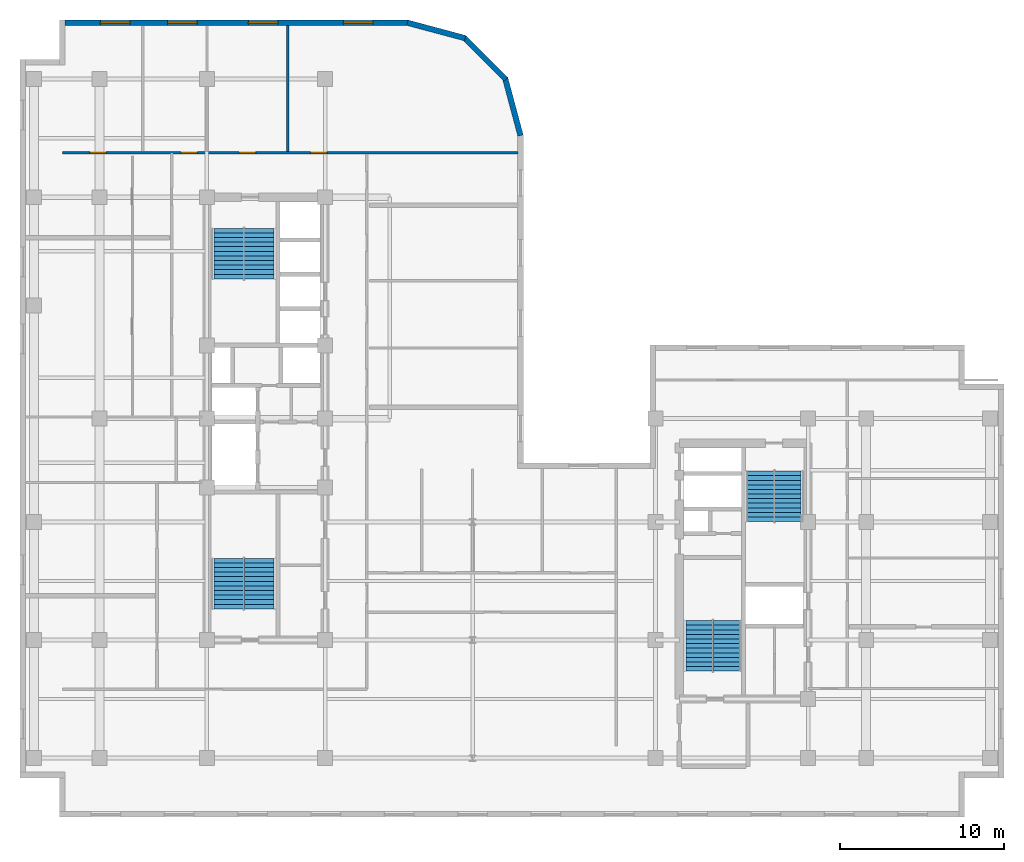
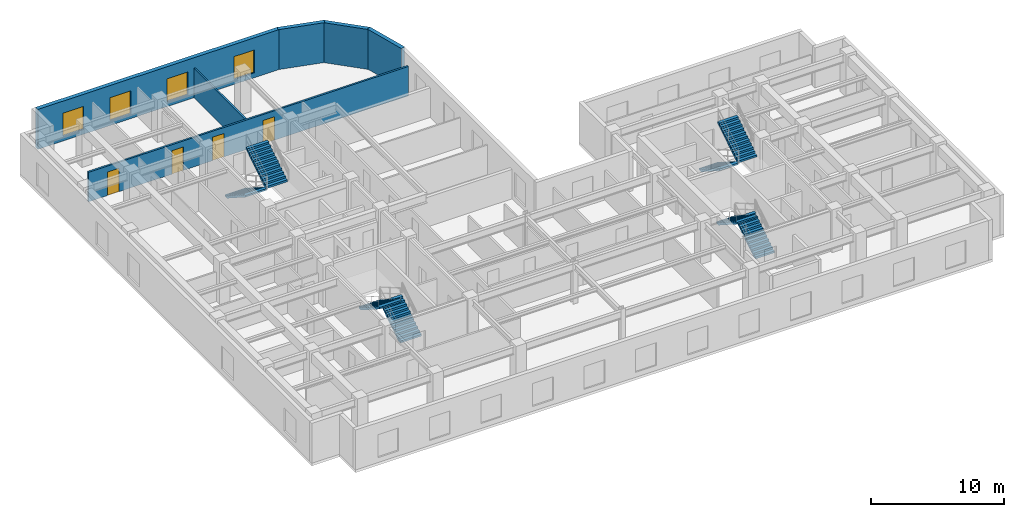
# One storey, part 8 of 11: 8 stair flights, 6 walls, 4 doors, 4 windows, 8 openings, 4 elements without a shape of their own.
"""IFC4 building model written with IfcOpenShell, lengths in metres."""

from ifc_helpers import new_model, entity, si_unit, converted_unit, direction, frame, origin_with_axes, origin_2d_with_axis, place, context, subcontext, project, spatial, polyline, rectangle, outline, extrude, material, layer, layer_set, type_object, element, fill, aggregate, save


model = new_model("IFC4")

# Units and contexts
model_context = context("Model", 3, precision=1e-05, world=origin_with_axes(), true_north=direction((0.0, 1.0)))
body_context = subcontext(model_context, "Body", "Model", "MODEL_VIEW")
ifc_project = project(units=[si_unit("LENGTHUNIT", "METRE"), si_unit("AREAUNIT", "SQUARE_METRE"), si_unit("VOLUMEUNIT", "CUBIC_METRE"), converted_unit("PLANEANGLEUNIT", "DEGREE", entity("IfcPlaneAngleMeasure", 0.017453292519943295), si_unit("PLANEANGLEUNIT", "RADIAN"), dimensions=[0, 0, 0, 0, 0, 0, 0]), si_unit("MASSUNIT", "GRAM", prefix="KILO"), si_unit("THERMODYNAMICTEMPERATUREUNIT", "KELVIN")], contexts=[model_context])

# Site, building, storey
site_placement = place(None, origin_with_axes())
site = spatial("IfcSite", under=ifc_project, at=site_placement, CompositionType="ELEMENT")
building_placement = place(site_placement, origin_with_axes())
building = spatial("IfcBuilding", under=site, at=building_placement, Name="Varnlund Millrace Tower", CompositionType="ELEMENT")
storey_placement = place(building_placement, frame((0.0, 0.0, 208.2), z_axis=(0.0, 0.0, 1.0), x_axis=(1.0, 0.0, 0.0)))
storey = spatial("IfcBuildingStorey", under=building, at=storey_placement, Name="L51", CompositionType="ELEMENT", Elevation=208.2)

# Wall, openings, windows
ifc_material_1 = material(Name="Precast concrete C50/60", Category="concrete")
ifc_layer_1 = layer(ifc_material_1, 0.34, Name="Precast concrete C50/60")
ifc_layer_set_1 = layer_set([ifc_layer_1], Name="Precast concrete C50/60")
wall_type_1 = type_object("IfcWallType", Name="Type-ExtWall-Precast-Upper-340", PredefinedType="SOLIDWALL", material=ifc_layer_set_1)
wall_1_placement = place(storey_placement, frame((2.74, 48.43, 0.0), z_axis=(0.0, 0.0, 1.0), x_axis=(1.0, 0.0, 0.0)))
wall_1 = element("IfcWall", 1, at=wall_1_placement, inside=storey, type_object=wall_type_1, Name="Type-ExtWall-Precast-Upper-340", PredefinedType="SOLIDWALL", context=body_context, shape_type="SweptSolid", body=[
    extrude(outline(polyline([(0.0, -0.17), (20.946, -0.17), (20.946, 0.17), (0.0, 0.17), (0.0, -0.17)])), origin_with_axes(), (0.0, 0.0, 1.0), 3.66),
])
opening_1_placement = place(wall_1_placement, frame((3.068, 0.0, 0.45), z_axis=(0.0, 0.0, 1.0), x_axis=(1.0, 0.0, 0.0)))
opening_1 = element("IfcOpeningElement", 2, at=opening_1_placement, cuts=wall_1, Name="Opening L51:WN-25", PredefinedType="OPENING", context=body_context, shape_type="SweptSolid", body=[
    extrude(rectangle(XDim=1.8, YDim=0.36, at=origin_2d_with_axis()), origin_with_axes(), (0.0, 0.0, 1.0), 2.1),
])
opening_2_placement = place(wall_1_placement, frame((7.155, 0.0, 0.45), z_axis=(0.0, 0.0, 1.0), x_axis=(1.0, 0.0, 0.0)))
opening_2 = element("IfcOpeningElement", 3, at=opening_2_placement, cuts=wall_1, Name="Opening L51:WN-26", PredefinedType="OPENING", context=body_context, shape_type="SweptSolid", body=[
    extrude(rectangle(XDim=1.8, YDim=0.36, at=origin_2d_with_axis()), origin_with_axes(), (0.0, 0.0, 1.0), 2.1),
])
opening_3_placement = place(wall_1_placement, frame((12.091, 0.0, 0.45), z_axis=(0.0, 0.0, 1.0), x_axis=(1.0, 0.0, 0.0)))
opening_3 = element("IfcOpeningElement", 4, at=opening_3_placement, cuts=wall_1, Name="Opening L51:WN-27", PredefinedType="OPENING", context=body_context, shape_type="SweptSolid", body=[
    extrude(rectangle(XDim=1.8, YDim=0.36, at=origin_2d_with_axis()), origin_with_axes(), (0.0, 0.0, 1.0), 2.1),
])
opening_4_placement = place(wall_1_placement, frame((17.878, 0.0, 0.45), z_axis=(0.0, 0.0, 1.0), x_axis=(1.0, 0.0, 0.0)))
opening_4 = element("IfcOpeningElement", 5, at=opening_4_placement, cuts=wall_1, Name="Opening L51:WN-28", PredefinedType="OPENING", context=body_context, shape_type="SweptSolid", body=[
    extrude(rectangle(XDim=1.8, YDim=0.36, at=origin_2d_with_axis()), origin_with_axes(), (0.0, 0.0, 1.0), 2.1),
])
ifc_material_2 = material(Name="Argon low-e triple glazing in thermally broken bronze frame", Category="glass")
window_type = type_object("IfcWindowType", Name="Type-Window-Punched-1800X2100", PartitioningType="SINGLE_PANEL", PredefinedType="WINDOW", material=ifc_material_2)
window_1_placement = place(wall_1_placement, frame((3.068, 0.0, 0.45), z_axis=(0.0, 0.0, 1.0), x_axis=(1.0, 0.0, 0.0)))
window_1 = element("IfcWindow", 6, at=window_1_placement, inside=storey, type_object=window_type, Name="Type-Window-Punched-1800X2100", OverallHeight=2.1, OverallWidth=1.8, PredefinedType="WINDOW", context=body_context, shape_type="SweptSolid", body=[
    extrude(rectangle(XDim=1.8, YDim=0.09, at=origin_2d_with_axis()), origin_with_axes(), (0.0, 0.0, 1.0), 2.1),
])
fill(opening_1, window_1)
window_2_placement = place(wall_1_placement, frame((7.155, 0.0, 0.45), z_axis=(0.0, 0.0, 1.0), x_axis=(1.0, 0.0, 0.0)))
window_2 = element("IfcWindow", 7, at=window_2_placement, inside=storey, type_object=window_type, Name="Type-Window-Punched-1800X2100", OverallHeight=2.1, OverallWidth=1.8, PredefinedType="WINDOW", context=body_context, shape_type="SweptSolid", body=[
    extrude(rectangle(XDim=1.8, YDim=0.09, at=origin_2d_with_axis()), origin_with_axes(), (0.0, 0.0, 1.0), 2.1),
])
fill(opening_2, window_2)
window_3_placement = place(wall_1_placement, frame((12.091, 0.0, 0.45), z_axis=(0.0, 0.0, 1.0), x_axis=(1.0, 0.0, 0.0)))
window_3 = element("IfcWindow", 8, at=window_3_placement, inside=storey, type_object=window_type, Name="Type-Window-Punched-1800X2100", OverallHeight=2.1, OverallWidth=1.8, PredefinedType="WINDOW", context=body_context, shape_type="SweptSolid", body=[
    extrude(rectangle(XDim=1.8, YDim=0.09, at=origin_2d_with_axis()), origin_with_axes(), (0.0, 0.0, 1.0), 2.1),
])
fill(opening_3, window_3)
window_4_placement = place(wall_1_placement, frame((17.878, 0.0, 0.45), z_axis=(0.0, 0.0, 1.0), x_axis=(1.0, 0.0, 0.0)))
window_4 = element("IfcWindow", 9, at=window_4_placement, inside=storey, type_object=window_type, Name="Type-Window-Punched-1800X2100", OverallHeight=2.1, OverallWidth=1.8, PredefinedType="WINDOW", context=body_context, shape_type="SweptSolid", body=[
    extrude(rectangle(XDim=1.8, YDim=0.09, at=origin_2d_with_axis()), origin_with_axes(), (0.0, 0.0, 1.0), 2.1),
])
fill(opening_4, window_4)

# Walls
wall_2_placement = place(storey_placement, frame((23.623, 48.441, 0.0), z_axis=(0.0, 0.0, 1.0), x_axis=(0.96592, -0.258841, 0.0)))
element("IfcWall", 10, at=wall_2_placement, inside=storey, type_object=wall_type_1, Name="Type-ExtWall-Precast-Upper-340", PredefinedType="SOLIDWALL", context=body_context, shape_type="SweptSolid", body=[
    extrude(outline(polyline([(0.0, -0.17), (3.643159, -0.17), (3.643159, 0.17), (0.0, 0.17), (0.0, -0.17)])), origin_with_axes(), (0.0, 0.0, 1.0), 3.66),
])
wall_3_placement = place(storey_placement, frame((27.052, 47.556, 0.0), z_axis=(0.0, 0.0, 1.0), x_axis=(0.707107, -0.707107, 0.0)))
element("IfcWall", 11, at=wall_3_placement, inside=storey, type_object=wall_type_1, Name="Type-ExtWall-Precast-Upper-340", PredefinedType="SOLIDWALL", context=body_context, shape_type="SweptSolid", body=[
    extrude(outline(polyline([(0.0, -0.17), (3.643014, -0.17), (3.643014, 0.17), (0.0, 0.17), (0.0, -0.17)])), origin_with_axes(), (0.0, 0.0, 1.0), 3.66),
])
wall_4_placement = place(storey_placement, frame((29.579, 45.075, 0.0), z_axis=(0.0, 0.0, 1.0), x_axis=(0.258841, -0.96592, 0.0)))
element("IfcWall", 12, at=wall_4_placement, inside=storey, type_object=wall_type_1, Name="Type-ExtWall-Precast-Upper-340", PredefinedType="SOLIDWALL", context=body_context, shape_type="SweptSolid", body=[
    extrude(outline(polyline([(0.0, -0.17), (3.643159, -0.17), (3.643159, 0.17), (0.0, 0.17), (0.0, -0.17)])), origin_with_axes(), (0.0, 0.0, 1.0), 3.66),
])

# Wall, openings, doors
ifc_material_3 = material(Name="Fire-rated gypsum board on cold-formed steel framing", Category="steel")
ifc_layer_2 = layer(ifc_material_3, 0.16, Name="Fire-rated gypsum board on cold-formed steel framing")
ifc_layer_set_2 = layer_set([ifc_layer_2], Name="Fire-rated gypsum board on cold-formed steel framing")
wall_type_2 = type_object("IfcWallType", Name="Type-Partition-Corridor-160", PredefinedType="PARTITIONING", material=ifc_layer_set_2)
wall_5_placement = place(storey_placement, frame((2.6, 40.5, 0.0), z_axis=(0.0, 0.0, 1.0), x_axis=(1.0, 0.0, 0.0)))
wall_5 = element("IfcWall", 13, at=wall_5_placement, inside=storey, type_object=wall_type_2, Name="Type-Partition-Corridor-160", PredefinedType="PARTITIONING", context=body_context, shape_type="SweptSolid", body=[
    extrude(outline(polyline([(0.0, -0.08), (27.751, -0.08), (27.751, 0.08), (0.0, 0.08), (0.0, -0.08)])), origin_with_axes(), (0.0, 0.0, 1.0), 2.7),
])
opening_5_placement = place(wall_5_placement, frame((2.158, 0.0, 0.0), z_axis=(0.0, 0.0, 1.0), x_axis=(1.0, 0.0, 0.0)))
opening_5 = element("IfcOpeningElement", 14, at=opening_5_placement, cuts=wall_5, Name="Opening L51:DR-WAN-01", PredefinedType="OPENING", context=body_context, shape_type="SweptSolid", body=[
    extrude(rectangle(XDim=1.0, YDim=0.18, at=origin_2d_with_axis()), origin_with_axes(), (0.0, 0.0, 1.0), 2.15),
])
opening_6_placement = place(wall_5_placement, frame((7.723, 0.0, 0.0), z_axis=(0.0, 0.0, 1.0), x_axis=(1.0, 0.0, 0.0)))
opening_6 = element("IfcOpeningElement", 15, at=opening_6_placement, cuts=wall_5, Name="Opening L51:DR-WAN-02", PredefinedType="OPENING", context=body_context, shape_type="SweptSolid", body=[
    extrude(rectangle(XDim=1.0, YDim=0.18, at=origin_2d_with_axis()), origin_with_axes(), (0.0, 0.0, 1.0), 2.15),
])
opening_7_placement = place(wall_5_placement, frame((11.266, 0.0, 0.0), z_axis=(0.0, 0.0, 1.0), x_axis=(1.0, 0.0, 0.0)))
opening_7 = element("IfcOpeningElement", 16, at=opening_7_placement, cuts=wall_5, Name="Opening L51:DR-WAN-03", PredefinedType="OPENING", context=body_context, shape_type="SweptSolid", body=[
    extrude(rectangle(XDim=1.0, YDim=0.18, at=origin_2d_with_axis()), origin_with_axes(), (0.0, 0.0, 1.0), 2.15),
])
opening_8_placement = place(wall_5_placement, frame((15.626, 0.0, 0.0), z_axis=(0.0, 0.0, 1.0), x_axis=(1.0, 0.0, 0.0)))
opening_8 = element("IfcOpeningElement", 17, at=opening_8_placement, cuts=wall_5, Name="Opening L51:DR-WAN-04", PredefinedType="OPENING", context=body_context, shape_type="SweptSolid", body=[
    extrude(rectangle(XDim=1.0, YDim=0.18, at=origin_2d_with_axis()), origin_with_axes(), (0.0, 0.0, 1.0), 2.15),
])
ifc_material_4 = material(Name="Solid-core white oak and bronze frame door")
door_type = type_object("IfcDoorType", Name="Type-IntDoor-Office-1000X2150", OperationType="NOTDEFINED", PredefinedType="DOOR", material=ifc_material_4)
door_1_placement = place(wall_5_placement, frame((2.158, 0.0, 0.0), z_axis=(0.0, 0.0, 1.0), x_axis=(1.0, 0.0, 0.0)))
door_1 = element("IfcDoor", 18, at=door_1_placement, inside=storey, type_object=door_type, Name="Type-IntDoor-Office-1000X2150", OperationType="SINGLE_SWING_LEFT", OverallHeight=2.15, OverallWidth=1.0, PredefinedType="DOOR", context=body_context, shape_type="SweptSolid", body=[
    extrude(rectangle(XDim=1.0, YDim=0.09, at=origin_2d_with_axis()), origin_with_axes(), (0.0, 0.0, 1.0), 2.15),
])
fill(opening_5, door_1)
door_2_placement = place(wall_5_placement, frame((7.723, 0.0, 0.0), z_axis=(0.0, 0.0, 1.0), x_axis=(1.0, 0.0, 0.0)))
door_2 = element("IfcDoor", 19, at=door_2_placement, inside=storey, type_object=door_type, Name="Type-IntDoor-Office-1000X2150", OperationType="SINGLE_SWING_RIGHT", OverallHeight=2.15, OverallWidth=1.0, PredefinedType="DOOR", context=body_context, shape_type="SweptSolid", body=[
    extrude(rectangle(XDim=1.0, YDim=0.09, at=origin_2d_with_axis()), origin_with_axes(), (0.0, 0.0, 1.0), 2.15),
])
fill(opening_6, door_2)
door_3_placement = place(wall_5_placement, frame((11.266, 0.0, 0.0), z_axis=(0.0, 0.0, 1.0), x_axis=(1.0, 0.0, 0.0)))
door_3 = element("IfcDoor", 20, at=door_3_placement, inside=storey, type_object=door_type, Name="Type-IntDoor-Office-1000X2150", OperationType="SINGLE_SWING_LEFT", OverallHeight=2.15, OverallWidth=1.0, PredefinedType="DOOR", context=body_context, shape_type="SweptSolid", body=[
    extrude(rectangle(XDim=1.0, YDim=0.09, at=origin_2d_with_axis()), origin_with_axes(), (0.0, 0.0, 1.0), 2.15),
])
fill(opening_7, door_3)
door_4_placement = place(wall_5_placement, frame((15.626, 0.0, 0.0), z_axis=(0.0, 0.0, 1.0), x_axis=(1.0, 0.0, 0.0)))
door_4 = element("IfcDoor", 21, at=door_4_placement, inside=storey, type_object=door_type, Name="Type-IntDoor-Office-1000X2150", OperationType="SINGLE_SWING_RIGHT", OverallHeight=2.15, OverallWidth=1.0, PredefinedType="DOOR", context=body_context, shape_type="SweptSolid", body=[
    extrude(rectangle(XDim=1.0, YDim=0.09, at=origin_2d_with_axis()), origin_with_axes(), (0.0, 0.0, 1.0), 2.15),
])
fill(opening_8, door_4)

# Wall
ifc_material_5 = material(Name="Acoustic STC-50 gypsum board partition", Category="gypsum")
ifc_layer_3 = layer(ifc_material_5, 0.15, Name="Acoustic STC-50 gypsum board partition")
ifc_layer_set_3 = layer_set([ifc_layer_3], Name="Acoustic STC-50 gypsum board partition")
wall_type_3 = type_object("IfcWallType", Name="Type-Partition-Demising-150", PredefinedType="PARTITIONING", material=ifc_layer_set_3)
wall_6_placement = place(storey_placement, frame((16.332, 40.6, 0.0), z_axis=(0.0, 0.0, 1.0), x_axis=(0.0, 1.0, 0.0)))
element("IfcWall", 22, at=wall_6_placement, inside=storey, type_object=wall_type_3, Name="Type-Partition-Demising-150", PredefinedType="PARTITIONING", context=body_context, shape_type="SweptSolid", body=[
    extrude(outline(polyline([(0.0, -0.075), (7.665, -0.075), (7.665, 0.075), (0.0, 0.075), (0.0, -0.075)])), origin_with_axes(), (0.0, 0.0, 1.0), 2.7),
])

# Stair, stair flights
ifc_material_6 = material(Name="Concrete C50/60", Category="concrete")
stair_type_1 = type_object("IfcStairType", Name="Type-Stair-Dogleg-165-390", PredefinedType="HALF_TURN_STAIR", material=ifc_material_6)
stair_1_placement = place(storey_placement, origin_with_axes())
stair_1 = element("IfcStair", 23, at=stair_1_placement, inside=storey, type_object=stair_type_1, Name="Type-Stair-Dogleg-165-390", PredefinedType="HALF_TURN_STAIR")
stair_flight_type_1 = type_object("IfcStairFlightType", Name="Type-Dogleg-Run-165-390", PredefinedType="STRAIGHT", material=ifc_material_1)
stair_flight_1_placement = place(storey_placement, frame((42.225, 8.9, 0.0), z_axis=(1.0, 0.0, 0.0), x_axis=(0.0, 1.0, 0.0)))
stair_flight_1 = element("IfcStairFlight", 24, at=stair_flight_1_placement, type_object=stair_flight_type_1, Name="ST-B1 flight 1", NumberOfRisers=11, NumberOfTreads=11, PredefinedType="STRAIGHT", RiserHeight=0.177273, TreadLength=0.28, context=body_context, shape_type="SweptSolid", body=[
    extrude(outline(polyline([(0.0, 0.0), (0.0, 0.177273), (0.28, 0.177273), (0.28, 0.354545), (0.56, 0.354545), (0.56, 0.531818), (0.84, 0.531818), (0.84, 0.709091), (1.12, 0.709091), (1.12, 0.886364), (1.4, 0.886364), (1.4, 1.063636), (1.68, 1.063636), (1.68, 1.240909), (1.96, 1.240909), (1.96, 1.418182), (2.24, 1.418182), (2.24, 1.595454), (2.52, 1.595454), (2.52, 1.772727), (2.8, 1.772727), (2.8, 1.95), (3.08, 1.95), (3.08, 1.8), (0.28, 0.0), (0.0, 0.0)])), origin_with_axes(), (0.0, 0.0, 1.0), 1.65),
])
stair_flight_2_placement = place(storey_placement, frame((42.275, 11.98, 1.95), z_axis=(-1.0, 0.0, 0.0), x_axis=(0.0, -1.0, 0.0)))
stair_flight_2 = element("IfcStairFlight", 25, at=stair_flight_2_placement, type_object=stair_flight_type_1, Name="ST-B1 flight 2", NumberOfRisers=11, NumberOfTreads=11, PredefinedType="STRAIGHT", RiserHeight=0.177273, TreadLength=0.28, context=body_context, shape_type="SweptSolid", body=[
    extrude(outline(polyline([(0.0, 0.0), (0.0, 0.177273), (0.28, 0.177273), (0.28, 0.354545), (0.56, 0.354545), (0.56, 0.531818), (0.84, 0.531818), (0.84, 0.709091), (1.12, 0.709091), (1.12, 0.886364), (1.4, 0.886364), (1.4, 1.063636), (1.68, 1.063636), (1.68, 1.240909), (1.96, 1.240909), (1.96, 1.418182), (2.24, 1.418182), (2.24, 1.595454), (2.52, 1.595454), (2.52, 1.772727), (2.8, 1.772727), (2.8, 1.95), (3.08, 1.95), (3.08, 1.8), (0.28, 0.0), (0.0, 0.0)])), origin_with_axes(), (0.0, 0.0, 1.0), 1.65),
])
aggregate(stair_1, [stair_flight_1, stair_flight_2])

stair_2_placement = place(storey_placement, origin_with_axes())
stair_2 = element("IfcStair", 26, at=stair_2_placement, inside=storey, type_object=stair_type_1, Name="Type-Stair-Dogleg-165-390", PredefinedType="HALF_TURN_STAIR")
stair_flight_3_placement = place(storey_placement, frame((46.025, 21.1, 0.0), z_axis=(-1.0, 0.0, 0.0), x_axis=(0.0, -1.0, 0.0)))
stair_flight_3 = element("IfcStairFlight", 27, at=stair_flight_3_placement, type_object=stair_flight_type_1, Name="ST-B2 flight 1", NumberOfRisers=11, NumberOfTreads=11, PredefinedType="STRAIGHT", RiserHeight=0.177273, TreadLength=0.28, context=body_context, shape_type="SweptSolid", body=[
    extrude(outline(polyline([(0.0, 0.0), (0.0, 0.177273), (0.28, 0.177273), (0.28, 0.354545), (0.56, 0.354545), (0.56, 0.531818), (0.84, 0.531818), (0.84, 0.709091), (1.12, 0.709091), (1.12, 0.886364), (1.4, 0.886364), (1.4, 1.063636), (1.68, 1.063636), (1.68, 1.240909), (1.96, 1.240909), (1.96, 1.418182), (2.24, 1.418182), (2.24, 1.595454), (2.52, 1.595454), (2.52, 1.772727), (2.8, 1.772727), (2.8, 1.95), (3.08, 1.95), (3.08, 1.8), (0.28, 0.0), (0.0, 0.0)])), origin_with_axes(), (0.0, 0.0, 1.0), 1.65),
])
stair_flight_4_placement = place(storey_placement, frame((45.975, 18.02, 1.95), z_axis=(1.0, 0.0, 0.0), x_axis=(0.0, 1.0, 0.0)))
stair_flight_4 = element("IfcStairFlight", 28, at=stair_flight_4_placement, type_object=stair_flight_type_1, Name="ST-B2 flight 2", NumberOfRisers=11, NumberOfTreads=11, PredefinedType="STRAIGHT", RiserHeight=0.177273, TreadLength=0.28, context=body_context, shape_type="SweptSolid", body=[
    extrude(outline(polyline([(0.0, 0.0), (0.0, 0.177273), (0.28, 0.177273), (0.28, 0.354545), (0.56, 0.354545), (0.56, 0.531818), (0.84, 0.531818), (0.84, 0.709091), (1.12, 0.709091), (1.12, 0.886364), (1.4, 0.886364), (1.4, 1.063636), (1.68, 1.063636), (1.68, 1.240909), (1.96, 1.240909), (1.96, 1.418182), (2.24, 1.418182), (2.24, 1.595454), (2.52, 1.595454), (2.52, 1.772727), (2.8, 1.772727), (2.8, 1.95), (3.08, 1.95), (3.08, 1.8), (0.28, 0.0), (0.0, 0.0)])), origin_with_axes(), (0.0, 0.0, 1.0), 1.65),
])
aggregate(stair_2, [stair_flight_3, stair_flight_4])

stair_type_2 = type_object("IfcStairType", Name="Type-Stair-Dogleg-185-390", PredefinedType="HALF_TURN_STAIR", material=ifc_material_6)
stair_3_placement = place(storey_placement, origin_with_axes())
stair_3 = element("IfcStair", 29, at=stair_3_placement, inside=storey, type_object=stair_type_2, Name="Type-Stair-Dogleg-185-390", PredefinedType="HALF_TURN_STAIR")
stair_flight_type_2 = type_object("IfcStairFlightType", Name="Type-Dogleg-Run-185-390", PredefinedType="STRAIGHT", material=ifc_material_1)
stair_flight_5_placement = place(storey_placement, frame((13.625, 12.7, 0.0), z_axis=(1.0, 0.0, 0.0), x_axis=(0.0, 1.0, 0.0)))
stair_flight_5 = element("IfcStairFlight", 30, at=stair_flight_5_placement, type_object=stair_flight_type_2, Name="ST-A1 flight 1", NumberOfRisers=11, NumberOfTreads=11, PredefinedType="STRAIGHT", RiserHeight=0.177273, TreadLength=0.28, context=body_context, shape_type="SweptSolid", body=[
    extrude(outline(polyline([(0.0, 0.0), (0.0, 0.177273), (0.28, 0.177273), (0.28, 0.354545), (0.56, 0.354545), (0.56, 0.531818), (0.84, 0.531818), (0.84, 0.709091), (1.12, 0.709091), (1.12, 0.886364), (1.4, 0.886364), (1.4, 1.063636), (1.68, 1.063636), (1.68, 1.240909), (1.96, 1.240909), (1.96, 1.418182), (2.24, 1.418182), (2.24, 1.595454), (2.52, 1.595454), (2.52, 1.772727), (2.8, 1.772727), (2.8, 1.95), (3.08, 1.95), (3.08, 1.8), (0.28, 0.0), (0.0, 0.0)])), origin_with_axes(), (0.0, 0.0, 1.0), 1.85),
])
stair_flight_6_placement = place(storey_placement, frame((13.675, 15.78, 1.95), z_axis=(-1.0, 0.0, 0.0), x_axis=(0.0, -1.0, 0.0)))
stair_flight_6 = element("IfcStairFlight", 31, at=stair_flight_6_placement, type_object=stair_flight_type_2, Name="ST-A1 flight 2", NumberOfRisers=11, NumberOfTreads=11, PredefinedType="STRAIGHT", RiserHeight=0.177273, TreadLength=0.28, context=body_context, shape_type="SweptSolid", body=[
    extrude(outline(polyline([(0.0, 0.0), (0.0, 0.177273), (0.28, 0.177273), (0.28, 0.354545), (0.56, 0.354545), (0.56, 0.531818), (0.84, 0.531818), (0.84, 0.709091), (1.12, 0.709091), (1.12, 0.886364), (1.4, 0.886364), (1.4, 1.063636), (1.68, 1.063636), (1.68, 1.240909), (1.96, 1.240909), (1.96, 1.418182), (2.24, 1.418182), (2.24, 1.595454), (2.52, 1.595454), (2.52, 1.772727), (2.8, 1.772727), (2.8, 1.95), (3.08, 1.95), (3.08, 1.8), (0.28, 0.0), (0.0, 0.0)])), origin_with_axes(), (0.0, 0.0, 1.0), 1.85),
])
aggregate(stair_3, [stair_flight_5, stair_flight_6])

stair_4_placement = place(storey_placement, origin_with_axes())
stair_4 = element("IfcStair", 32, at=stair_4_placement, inside=storey, type_object=stair_type_2, Name="Type-Stair-Dogleg-185-390", PredefinedType="HALF_TURN_STAIR")
stair_flight_7_placement = place(storey_placement, frame((13.675, 35.9, 0.0), z_axis=(-1.0, 0.0, 0.0), x_axis=(0.0, -1.0, 0.0)))
stair_flight_7 = element("IfcStairFlight", 33, at=stair_flight_7_placement, type_object=stair_flight_type_2, Name="ST-A2 flight 1", NumberOfRisers=11, NumberOfTreads=11, PredefinedType="STRAIGHT", RiserHeight=0.177273, TreadLength=0.28, context=body_context, shape_type="SweptSolid", body=[
    extrude(outline(polyline([(0.0, 0.0), (0.0, 0.177273), (0.28, 0.177273), (0.28, 0.354545), (0.56, 0.354545), (0.56, 0.531818), (0.84, 0.531818), (0.84, 0.709091), (1.12, 0.709091), (1.12, 0.886364), (1.4, 0.886364), (1.4, 1.063636), (1.68, 1.063636), (1.68, 1.240909), (1.96, 1.240909), (1.96, 1.418182), (2.24, 1.418182), (2.24, 1.595454), (2.52, 1.595454), (2.52, 1.772727), (2.8, 1.772727), (2.8, 1.95), (3.08, 1.95), (3.08, 1.8), (0.28, 0.0), (0.0, 0.0)])), origin_with_axes(), (0.0, 0.0, 1.0), 1.85),
])
stair_flight_8_placement = place(storey_placement, frame((13.625, 32.82, 1.95), z_axis=(1.0, 0.0, 0.0), x_axis=(0.0, 1.0, 0.0)))
stair_flight_8 = element("IfcStairFlight", 34, at=stair_flight_8_placement, type_object=stair_flight_type_2, Name="ST-A2 flight 2", NumberOfRisers=11, NumberOfTreads=11, PredefinedType="STRAIGHT", RiserHeight=0.177273, TreadLength=0.28, context=body_context, shape_type="SweptSolid", body=[
    extrude(outline(polyline([(0.0, 0.0), (0.0, 0.177273), (0.28, 0.177273), (0.28, 0.354545), (0.56, 0.354545), (0.56, 0.531818), (0.84, 0.531818), (0.84, 0.709091), (1.12, 0.709091), (1.12, 0.886364), (1.4, 0.886364), (1.4, 1.063636), (1.68, 1.063636), (1.68, 1.240909), (1.96, 1.240909), (1.96, 1.418182), (2.24, 1.418182), (2.24, 1.595454), (2.52, 1.595454), (2.52, 1.772727), (2.8, 1.772727), (2.8, 1.95), (3.08, 1.95), (3.08, 1.8), (0.28, 0.0), (0.0, 0.0)])), origin_with_axes(), (0.0, 0.0, 1.0), 1.85),
])
aggregate(stair_4, [stair_flight_7, stair_flight_8])

save(model, "model.ifc")
